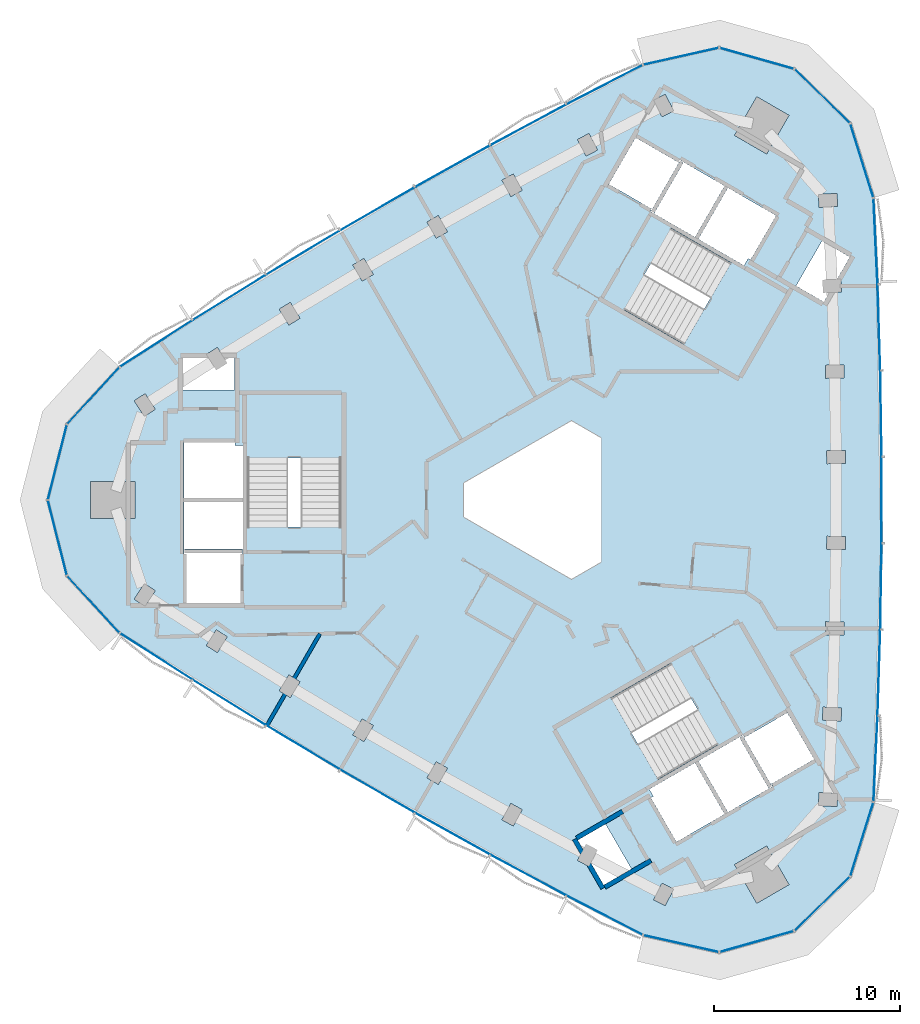
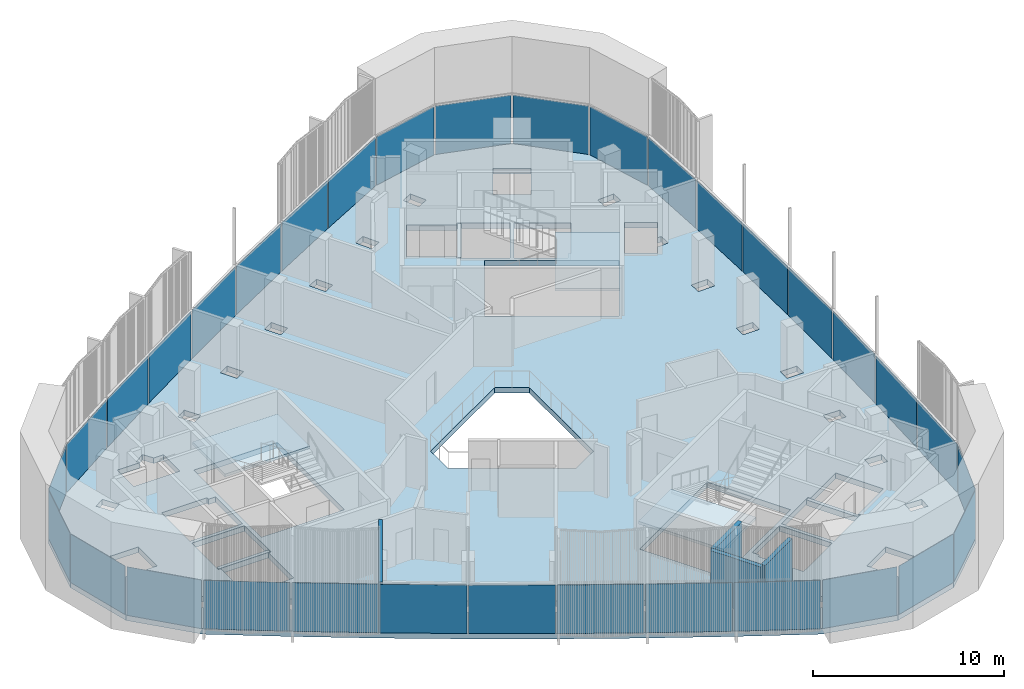
# One storey, part 5 of 12: 33 plates, 4 slabs, 4 walls, 6 elements without a shape of their own.
"""IFC4 building model written with IfcOpenShell, lengths in metres."""

from ifc_helpers import new_model, si_unit, direction, frame, frame_2d, origin, origin_2d, place, context, subcontext, project, spatial, polyline, rectangle, outline, extrude, material, layer, layer_set, type_object, element, aggregate, save


model = new_model("IFC4")

# Units and contexts
model_context = context("Model", 3, precision=1e-05, world=origin(), true_north=direction((0.0, 1.0)))
body_context = subcontext(model_context, "Body", "Model", "MODEL_VIEW")
ifc_project = project(units=[si_unit("LENGTHUNIT", "METRE"), si_unit("AREAUNIT", "SQUARE_METRE"), si_unit("VOLUMEUNIT", "CUBIC_METRE"), si_unit("PLANEANGLEUNIT", "RADIAN"), si_unit("MASSUNIT", "GRAM", prefix="KILO")], contexts=[model_context])

# Site, building, storey
site_placement = place(None, origin())
site = spatial("IfcSite", under=ifc_project, at=site_placement, CompositionType="ELEMENT")
building_placement = place(site_placement, origin())
building = spatial("IfcBuilding", under=site, at=building_placement, Name="Tamra Quay Hotel Tower", CompositionType="ELEMENT")
storey_placement = place(building_placement, frame((0.0, 0.0, 273.0)))
storey = spatial("IfcBuildingStorey", under=building, at=storey_placement, Name="L69", CompositionType="ELEMENT", Elevation=273.0)

# Stair, slab
ifc_material_1 = material(Name="Exit stair 2200 24 risers 150.0 going 342")
stair_type = type_object("IfcStairType", Name="Exit stair 2200 24 risers 150.0 going 342", PredefinedType="HALF_TURN_STAIR", material=ifc_material_1)
stair_1_placement = place(storey_placement, origin())
stair_1 = element("IfcStair", 1, at=stair_1_placement, inside=storey, type_object=stair_type, Name="L69 Exit stair ST3", PredefinedType="HALF_TURN_STAIR")
ifc_material_2 = material(Name="Concrete M70", Category="concrete")
ifc_layer_1 = layer(ifc_material_2, 0.175048828125)
ifc_layer_set_1 = layer_set([ifc_layer_1], Name="Concrete M70 stair landing 180")
slab_type_1 = type_object("IfcSlabType", Name="Concrete M70 stair landing 180", PredefinedType="LANDING", material=ifc_layer_set_1)
slab_1_placement = place(storey_placement, frame((0.0, 0.0, 1.625)))
slab_1 = element("IfcSlab", 2, at=slab_1_placement, type_object=slab_type_1, Name="ST3 landing 1", PredefinedType="LANDING", context=body_context, shape_type="SweptSolid", body=[
    extrude(outline(polyline([(-10.932373046875, 2.261962890625), (-10.932373046875, 5.679931640625), (-16.09130859375, 5.679931640625), (-16.09130859375, 2.261962890625), (-10.932373046875, 2.261962890625)])), origin(), (0.0, 0.0, 1.0), 0.175048828125),
])
aggregate(stair_1, [slab_1])

stair_2_placement = place(storey_placement, origin())
stair_2 = element("IfcStair", 3, at=stair_2_placement, inside=storey, type_object=stair_type, Name="L69 Exit stair ST1", PredefinedType="HALF_TURN_STAIR")
slab_2_placement = place(storey_placement, frame((0.0, 0.0, 1.625)))
slab_2 = element("IfcSlab", 4, at=slab_2_placement, type_object=slab_type_1, Name="ST1 landing 1", PredefinedType="LANDING", context=body_context, shape_type="SweptSolid", body=[
    extrude(outline(polyline([(7.425048828125, 8.336669921875), (10.385009765625, 6.627685546875), (12.964599609375, 11.095458984375), (10.00439453125, 12.804443359375), (7.425048828125, 8.336669921875)])), origin(), (0.0, 0.0, 1.0), 0.175048828125),
])
aggregate(stair_2, [slab_2])

stair_3_placement = place(storey_placement, origin())
stair_3 = element("IfcStair", 5, at=stair_3_placement, inside=storey, type_object=stair_type, Name="L69 Exit stair ST2", PredefinedType="HALF_TURN_STAIR")
slab_3_placement = place(storey_placement, frame((0.0, 0.0, 1.625)))
slab_3 = element("IfcSlab", 6, at=slab_3_placement, type_object=slab_type_1, Name="ST2 landing 1", PredefinedType="LANDING", context=body_context, shape_type="SweptSolid", body=[
    extrude(outline(polyline([(3.50732421875, -10.5986328125), (0.547119140625, -12.3076171875), (3.126708984375, -16.775390625), (6.086669921875, -15.06640625), (3.50732421875, -10.5986328125)])), origin(), (0.0, 0.0, 1.0), 0.175048828125),
])
aggregate(stair_3, [slab_3])

# Slab
ifc_material_3 = material(Name="Concrete M60", Category="concrete")
ifc_layer_2 = layer(ifc_material_3, 0.35009765625)
ifc_layer_set_2 = layer_set([ifc_layer_2], Name="FLOOR SLAB PT 350")
slab_type_2 = type_object("IfcSlabType", Name="FLOOR SLAB PT 350", PredefinedType="FLOOR", material=ifc_layer_set_2)
slab_4_placement = place(storey_placement, frame((0.0, 0.0, -0.35009765625)))
element("IfcSlab", 7, at=slab_4_placement, inside=storey, type_object=slab_type_2, Name="SLAB-L69", PredefinedType="FLOOR", context=body_context, shape_type="SweptSolid", body=[
    extrude(outline(polyline([(17.8662109375, 11.60986328125), (18.011474609375, 6.968017578125), (18.083984375, 2.322998046875), (18.083984375, -2.322998046875), (18.011474609375, -6.968017578125), (17.8662109375, -11.60986328125), (17.648681640625, -16.25146484375), (16.39599609375, -20.2587890625), (13.38671875, -23.186279296875), (9.346435546875, -24.32861328125), (5.249755859375, -23.409912109375), (1.121337890625, -21.277587890625), (-2.97119140625, -19.08251953125), (-7.0302734375, -16.82275390625), (-11.0537109375, -14.499755859375), (-15.040283203125, -12.1142578125), (-18.98779296875, -9.667724609375), (-22.898681640625, -7.15869140625), (-25.742431640625, -4.070068359375), (-26.7734375, 0.0), (-25.742431640625, 4.070068359375), (-22.898681640625, 7.15869140625), (-18.98779296875, 9.667724609375), (-15.040283203125, 12.1142578125), (-11.0537109375, 14.499755859375), (-7.0302734375, 16.82275390625), (-2.97119140625, 19.08251953125), (1.121337890625, 21.277587890625), (5.249755859375, 23.409912109375), (9.346435546875, 24.32861328125), (13.38671875, 23.186279296875), (16.39599609375, 20.2587890625), (17.648681640625, 16.25146484375), (17.8662109375, 11.60986328125)]), holes=[polyline([(-10.3671875, -12.641357421875), (-9.763671875, -12.99609375), (-9.2568359375, -12.13427734375), (-9.8603515625, -11.779296875), (-10.3671875, -12.641357421875)]), polyline([(-14.324462890625, -10.26708984375), (-13.7265625, -10.63134765625), (-13.206298828125, -9.77734375), (-13.803955078125, -9.4130859375), (-14.324462890625, -10.26708984375)]), polyline([(-18.244140625, -7.831298828125), (-17.652099609375, -8.20458984375), (-17.118896484375, -7.358642578125), (-17.7109375, -6.9853515625), (-18.244140625, -7.831298828125)]), polyline([(-21.57861328125, -4.497314453125), (-22.125244140625, -5.33447265625), (-21.539306640625, -5.71728515625), (-20.992431640625, -4.880126953125), (-21.57861328125, -4.497314453125)]), polyline([(-16.3173828125, -2.85498046875), (-19.4072265625, -2.85498046875), (-19.4072265625, -2.89306640625), (-19.307373046875, -2.89306640625), (-19.307373046875, -5.544921875), (-16.417236328125, -5.544921875), (-16.417236328125, -2.89306640625), (-16.3173828125, -2.89306640625), (-16.3173828125, -2.85498046875)]), polyline([(-19.417236328125, -2.64501953125), (-16.307373046875, -2.64501953125), (-16.307373046875, -2.89306640625), (-16.26708984375, -2.89306640625), (-16.26708984375, -0.10498046875), (-19.45751953125, -0.10498046875), (-19.45751953125, -2.89306640625), (-19.417236328125, -2.89306640625), (-19.417236328125, -2.64501953125)]), polyline([(-24.473388671875, 1.0), (-24.473388671875, -1.0), (-22.073486328125, -1.0), (-22.073486328125, 1.0), (-24.473388671875, 1.0)]), polyline([(-16.707275390625, 2.945068359375), (-16.707275390625, 3.09521484375), (-19.45751953125, 3.09521484375), (-19.45751953125, 0.10498046875), (-16.26708984375, 0.10498046875), (-16.26708984375, 2.945068359375), (-16.707275390625, 2.945068359375)]), polyline([(-16.036376953125, -1.455078125), (-10.9873046875, -1.455078125), (-10.9873046875, 5.625), (-16.036376953125, 5.625), (-16.036376953125, -1.455078125)]), polyline([(-20.992431640625, 4.880126953125), (-21.539306640625, 5.71728515625), (-22.125244140625, 5.33447265625), (-21.57861328125, 4.497314453125), (-20.992431640625, 4.880126953125)]), polyline([(-17.29931640625, 7.64501953125), (-17.652099609375, 8.20458984375), (-18.244140625, 7.831298828125), (-18.126708984375, 7.64501953125), (-19.50732421875, 7.64501953125), (-19.50732421875, 5.9150390625), (-16.71728515625, 5.9150390625), (-16.71728515625, 7.64501953125), (-17.29931640625, 7.64501953125)]), polyline([(-13.7265625, 10.63134765625), (-14.324462890625, 10.26708984375), (-13.803955078125, 9.4130859375), (-13.206298828125, 9.77734375), (-13.7265625, 10.63134765625)]), polyline([(-9.2568359375, 12.13427734375), (-9.763671875, 12.99609375), (-10.3671875, 12.641357421875), (-9.8603515625, 11.779296875), (-9.2568359375, 12.13427734375)]), polyline([(-5.271240234375, 14.428955078125), (-5.764404296875, 15.298828125), (-6.373291015625, 14.95361328125), (-5.880126953125, 14.083740234375), (-5.271240234375, 14.428955078125)]), polyline([(5.818359375, -21.51220703125), (6.44287109375, -21.828369140625), (6.89453125, -20.936279296875), (6.27001953125, -20.6201171875), (5.818359375, -21.51220703125)]), polyline([(3.236083984375, -17.43505859375), (1.73779296875, -18.300048828125), (2.02880859375, -18.80419921875), (1.720703125, -19.389404296875), (2.33984375, -19.715576171875), (2.442626953125, -19.520751953125), (3.1328125, -20.71630859375), (4.631103515625, -19.851318359375), (3.236083984375, -17.43505859375)]), polyline([(-2.34375, -17.203369140625), (-1.7294921875, -17.538818359375), (-1.25, -16.6611328125), (-1.864501953125, -16.32568359375), (-2.34375, -17.203369140625)]), polyline([(5.5830078125, -15.560302734375), (5.80322265625, -15.94140625), (5.673095703125, -16.0166015625), (7.04833984375, -18.398193359375), (9.6376953125, -16.903076171875), (8.042724609375, -14.14013671875), (5.5830078125, -15.560302734375)]), polyline([(12.214111328125, -15.369384765625), (11.999267578125, -15.493408203125), (10.4443359375, -12.800048828125), (10.6591796875, -12.676025390625), (10.63916015625, -12.64111328125), (8.224609375, -14.03515625), (9.819580078125, -16.798095703125), (12.234130859375, -15.404052734375), (12.214111328125, -15.369384765625)]), polyline([(-6.373291015625, -14.95361328125), (-5.764404296875, -15.298828125), (-5.271240234375, -14.428955078125), (-5.880126953125, -14.083740234375), (-6.373291015625, -14.95361328125)]), polyline([(6.75390625, -8.78759765625), (0.622314453125, -12.32763671875), (3.146728515625, -16.7001953125), (9.2783203125, -13.160400390625), (6.75390625, -8.78759765625)]), polyline([(-4.39990234375, 0.923828125), (-4.39990234375, -0.923828125), (1.39990234375, -4.2724609375), (3.0, -3.3486328125), (3.0, 3.3486328125), (1.39990234375, 4.2724609375), (-4.39990234375, 0.923828125)]), polyline([(6.758056640625, 14.615478515625), (4.2333984375, 10.242919921875), (10.364990234375, 6.702880859375), (12.889404296875, 11.075439453125), (6.758056640625, 14.615478515625)]), polyline([(7.203125, 18.262451171875), (7.41796875, 18.138427734375), (5.863037109375, 15.445068359375), (5.648193359375, 15.569091796875), (5.628173828125, 15.5341796875), (8.04248046875, 14.140380859375), (9.6376953125, 16.903076171875), (7.22314453125, 18.297119140625), (7.203125, 18.262451171875)]), polyline([(-1.7294921875, 17.538818359375), (-2.34375, 17.203369140625), (-1.864501953125, 16.32568359375), (-1.25, 16.6611328125), (-1.7294921875, 17.538818359375)]), polyline([(5.68603515625, 15.55859375), (7.231201171875, 18.234619140625), (7.1982421875, 18.253662109375), (7.148193359375, 18.1669921875), (4.8515625, 19.4931640625), (3.406494140625, 16.990234375), (5.703125, 15.664306640625), (5.6533203125, 15.57763671875), (5.68603515625, 15.55859375)]), polyline([(2.805908203125, 18.830810546875), (2.33984375, 19.715576171875), (1.720703125, 19.389404296875), (2.186767578125, 18.504638671875), (2.805908203125, 18.830810546875)]), polyline([(6.44287109375, 21.828369140625), (5.818359375, 21.51220703125), (6.27001953125, 20.6201171875), (6.89453125, 20.936279296875), (6.44287109375, 21.828369140625)]), polyline([(10.170654296875, -19.6162109375), (11.37060546875, -21.694580078125), (13.102783203125, -20.694580078125), (11.902587890625, -18.6162109375), (10.170654296875, -19.6162109375)]), polyline([(14.68408203125, -16.43896484375), (15.6826171875, -16.493896484375), (15.720947265625, -15.794921875), (14.722412109375, -15.739990234375), (14.68408203125, -16.43896484375)]), polyline([(12.176025390625, -15.379638671875), (12.208984375, -15.360595703125), (12.1591796875, -15.274169921875), (14.455810546875, -13.947998046875), (13.0107421875, -11.4453125), (10.714111328125, -12.771240234375), (10.6640625, -12.6845703125), (10.631103515625, -12.70361328125), (12.176025390625, -15.379638671875)]), polyline([(15.904296875, -11.88427734375), (15.931396484375, -11.184814453125), (14.93212890625, -11.14599609375), (14.905029296875, -11.845703125), (15.904296875, -11.88427734375)]), polyline([(16.0537109375, -7.271728515625), (16.0703125, -6.572021484375), (15.070556640625, -6.548095703125), (15.053955078125, -7.247802734375), (16.0537109375, -7.271728515625)]), polyline([(15.13134765625, -2.6494140625), (16.13134765625, -2.657470703125), (16.136962890625, -1.95751953125), (15.136962890625, -1.94970703125), (15.13134765625, -2.6494140625)]), polyline([(15.136962890625, 1.94970703125), (16.136962890625, 1.95751953125), (16.13134765625, 2.657470703125), (15.13134765625, 2.6494140625), (15.136962890625, 1.94970703125)]), polyline([(16.0703125, 6.572021484375), (16.0537109375, 7.271728515625), (15.053955078125, 7.247802734375), (15.070556640625, 6.548095703125), (16.0703125, 6.572021484375)]), polyline([(13.481201171875, 11.52001953125), (14.9794921875, 10.655029296875), (15.2705078125, 11.1591796875), (15.931396484375, 11.184814453125), (15.904296875, 11.88427734375), (15.68408203125, 11.875732421875), (16.37451171875, 13.0712890625), (14.876220703125, 13.936279296875), (13.481201171875, 11.52001953125)]), polyline([(10.904052734375, 12.996337890625), (11.0341796875, 12.92138671875), (12.4091796875, 15.302978515625), (9.819580078125, 16.798095703125), (8.224365234375, 14.035400390625), (10.68408203125, 12.615234375), (10.904052734375, 12.996337890625)]), polyline([(14.722412109375, 15.739990234375), (15.720947265625, 15.794921875), (15.6826171875, 16.493896484375), (14.68408203125, 16.43896484375), (14.722412109375, 15.739990234375)]), polyline([(11.902587890625, 18.6162109375), (13.102783203125, 20.694580078125), (11.37060546875, 21.694580078125), (10.170654296875, 19.6162109375), (11.902587890625, 18.6162109375)])]), origin(), (0.0, 0.0, 1.0), 0.35009765625),
])

# Curtain wall, plates
ifc_material_4 = material(Name="Aluminium 6063 anodised dark grey", Category="aluminium")
curtain_wall_type_1 = type_object("IfcCurtainWallType", Name="CW1 CURTAIN WALL", PredefinedType="NOTDEFINED", material=ifc_material_4)
curtain_wall_1_placement = place(storey_placement, origin())
curtain_wall_1 = element("IfcCurtainWall", 8, at=curtain_wall_1_placement, inside=storey, type_object=curtain_wall_type_1, Name="CW1 east face L69", PredefinedType="NOTDEFINED")
ifc_material_5 = material(Name="Glass clear laminated low-iron", Category="glass")
ifc_layer_3 = layer(ifc_material_5, 0.02587890625)
ifc_layer_set_3 = layer_set([ifc_layer_3], Name="GLASS PANEL CW1 Z6")
plate_type_1 = type_object("IfcPlateType", Name="GLASS PANEL CW1 Z6", PredefinedType="CURTAIN_PANEL", material=ifc_layer_set_3)
plate_1_placement = place(storey_placement, frame((17.757568359375, -13.9306640625, 0.0), z_axis=(0.0, 0.0, 1.0), x_axis=(0.046821223335, 0.998903285131, 0.0)))
plate_1 = element("IfcPlate", 9, at=plate_1_placement, type_object=plate_type_1, Name="CW1 glass L69.E.1", PredefinedType="CURTAIN_PANEL", context=body_context, shape_type="SweptSolid", body=[
    extrude(rectangle(XDim=4.546630859375, YDim=0.02587890625, at=origin_2d()), origin(), (0.0, 0.0, 1.0), 3.110107421875),
])
plate_2_placement = place(storey_placement, frame((17.93896484375, -9.2890625, 0.0), z_axis=(0.0, 0.0, 1.0), x_axis=(0.03124175898, 0.999511857106, 0.0)))
plate_2 = element("IfcPlate", 10, at=plate_2_placement, type_object=plate_type_1, Name="CW1 glass L69.E.2", PredefinedType="CURTAIN_PANEL", context=body_context, shape_type="SweptSolid", body=[
    extrude(rectangle(XDim=4.544189453125, YDim=0.02587890625, at=origin_2d()), origin(), (0.0, 0.0, 1.0), 3.110107421875),
])
plate_3_placement = place(storey_placement, frame((18.0478515625, -4.6455078125, 0.0), z_axis=(0.0, 0.0, 1.0), x_axis=(0.015632917878, 0.999877798473, 0.0)))
plate_3 = element("IfcPlate", 11, at=plate_3_placement, type_object=plate_type_1, Name="CW1 glass L69.E.3", PredefinedType="CURTAIN_PANEL", context=body_context, shape_type="SweptSolid", body=[
    extrude(rectangle(XDim=4.5458984375, YDim=0.02587890625, at=origin_2d()), origin(), (0.0, 0.0, 1.0), 3.110107421875),
])
plate_4_placement = place(storey_placement, frame((18.083984375, 0.0, 0.0), z_axis=(0.0, 0.0, 1.0), x_axis=(0.0, 1.0, 0.0)))
plate_4 = element("IfcPlate", 12, at=plate_4_placement, type_object=plate_type_1, Name="CW1 glass L69.E.4", PredefinedType="CURTAIN_PANEL", context=body_context, shape_type="SweptSolid", body=[
    extrude(rectangle(XDim=4.5458984375, YDim=0.02587890625, at=origin_2d()), origin(), (0.0, 0.0, 1.0), 3.110107421875),
])
plate_5_placement = place(storey_placement, frame((18.0478515625, 4.6455078125, 0.0), z_axis=(0.0, 0.0, 1.0), x_axis=(-0.015632917878, 0.999877798473, 0.0)))
plate_5 = element("IfcPlate", 13, at=plate_5_placement, type_object=plate_type_1, Name="CW1 glass L69.E.5", PredefinedType="CURTAIN_PANEL", context=body_context, shape_type="SweptSolid", body=[
    extrude(rectangle(XDim=4.5458984375, YDim=0.02587890625, at=origin_2d()), origin(), (0.0, 0.0, 1.0), 3.110107421875),
])
plate_6_placement = place(storey_placement, frame((17.93896484375, 9.2890625, 0.0), z_axis=(0.0, 0.0, 1.0), x_axis=(-0.03124175898, 0.999511857106, 0.0)))
plate_6 = element("IfcPlate", 14, at=plate_6_placement, type_object=plate_type_1, Name="CW1 glass L69.E.6", PredefinedType="CURTAIN_PANEL", context=body_context, shape_type="SweptSolid", body=[
    extrude(rectangle(XDim=4.544189453125, YDim=0.02587890625, at=origin_2d()), origin(), (0.0, 0.0, 1.0), 3.110107421875),
])
plate_7_placement = place(storey_placement, frame((17.757568359375, 13.9306640625, 0.0), z_axis=(0.0, 0.0, 1.0), x_axis=(-0.046821223335, 0.998903285131, 0.0)))
plate_7 = element("IfcPlate", 15, at=plate_7_placement, type_object=plate_type_1, Name="CW1 glass L69.E.7", PredefinedType="CURTAIN_PANEL", context=body_context, shape_type="SweptSolid", body=[
    extrude(rectangle(XDim=4.546630859375, YDim=0.02587890625, at=origin_2d()), origin(), (0.0, 0.0, 1.0), 3.110107421875),
])
plate_8_placement = place(storey_placement, frame((17.0224609375, 18.255126953125, 0.0), z_axis=(0.0, 0.0, 1.0), x_axis=(-0.29839239288, 0.954443282689, 0.0)))
plate_8 = element("IfcPlate", 16, at=plate_8_placement, type_object=plate_type_1, Name="CW1 glass L69.E.8", PredefinedType="CURTAIN_PANEL", context=body_context, shape_type="SweptSolid", body=[
    extrude(rectangle(XDim=4.098388671875, YDim=0.02587890625, at=origin_2d()), origin(), (0.0, 0.0, 1.0), 3.110107421875),
])
plate_9_placement = place(storey_placement, frame((14.891357421875, 21.72265625, 0.0), z_axis=(0.0, 0.0, 1.0), x_axis=(-0.716752699854, 0.69732744622, 0.0)))
plate_9 = element("IfcPlate", 17, at=plate_9_placement, type_object=plate_type_1, Name="CW1 glass L69.E.9", PredefinedType="CURTAIN_PANEL", context=body_context, shape_type="SweptSolid", body=[
    extrude(rectangle(XDim=4.098388671875, YDim=0.02587890625, at=origin_2d()), origin(), (0.0, 0.0, 1.0), 3.110107421875),
])
plate_10_placement = place(storey_placement, frame((11.36669921875, 23.757568359375, 0.0), z_axis=(0.0, 0.0, 1.0), x_axis=(-0.96227963311, 0.272062323195, 0.0)))
plate_10 = element("IfcPlate", 18, at=plate_10_placement, type_object=plate_type_1, Name="CW1 glass L69.E.10", PredefinedType="CURTAIN_PANEL", context=body_context, shape_type="SweptSolid", body=[
    extrude(rectangle(XDim=4.098388671875, YDim=0.02587890625, at=origin_2d()), origin(), (0.0, 0.0, 1.0), 3.110107421875),
])
plate_11_placement = place(storey_placement, frame((7.298095703125, 23.869384765625, 0.0), z_axis=(0.0, 0.0, 1.0), x_axis=(-0.975768325721, -0.218806248814, 0.0)))
plate_11 = element("IfcPlate", 19, at=plate_11_placement, type_object=plate_type_1, Name="CW1 glass L69.E.11", PredefinedType="CURTAIN_PANEL", context=body_context, shape_type="SweptSolid", body=[
    extrude(rectangle(XDim=4.098388671875, YDim=0.02587890625, at=origin_2d()), origin(), (0.0, 0.0, 1.0), 3.110107421875),
])
aggregate(curtain_wall_1, [plate_1, plate_2, plate_3, plate_4, plate_5, plate_6, plate_7, plate_8, plate_9, plate_10, plate_11])

curtain_wall_type_2 = type_object("IfcCurtainWallType", Name="CW2 CURTAIN WALL", PredefinedType="NOTDEFINED", material=ifc_material_4)
curtain_wall_2_placement = place(storey_placement, origin())
curtain_wall_2 = element("IfcCurtainWall", 20, at=curtain_wall_2_placement, inside=storey, type_object=curtain_wall_type_2, Name="CW2 north-west face L69", PredefinedType="NOTDEFINED")
ifc_layer_4 = layer(ifc_material_5, 0.02587890625)
ifc_layer_set_4 = layer_set([ifc_layer_4], Name="GLASS PANEL CW2 Z6")
plate_type_2 = type_object("IfcPlateType", Name="GLASS PANEL CW2 Z6", PredefinedType="CURTAIN_PANEL", material=ifc_layer_set_4)
plate_12_placement = place(storey_placement, frame((3.185546875, 22.34375, 0.0), z_axis=(0.0, 0.0, 1.0), x_axis=(-0.888486232515, -0.458903273721, 0.0)))
plate_12 = element("IfcPlate", 21, at=plate_12_placement, type_object=plate_type_2, Name="CW2 glass L69.NW.1", PredefinedType="CURTAIN_PANEL", context=body_context, shape_type="SweptSolid", body=[
    extrude(rectangle(XDim=4.546630859375, YDim=0.02587890625, at=origin_2d()), origin(), (0.0, 0.0, 1.0), 3.110107421875),
])
plate_13_placement = place(storey_placement, frame((-0.9248046875, 20.18017578125, 0.0), z_axis=(0.0, 0.0, 1.0), x_axis=(-0.881223539128, -0.472699771618, 0.0)))
plate_13 = element("IfcPlate", 22, at=plate_13_placement, type_object=plate_type_2, Name="CW2 glass L69.NW.2", PredefinedType="CURTAIN_PANEL", context=body_context, shape_type="SweptSolid", body=[
    extrude(rectangle(XDim=4.544189453125, YDim=0.02587890625, at=origin_2d()), origin(), (0.0, 0.0, 1.0), 3.110107421875),
])
plate_14_placement = place(storey_placement, frame((-5.000732421875, 17.95263671875, 0.0), z_axis=(0.0, 0.0, 1.0), x_axis=(-0.873736033097, -0.486400395218, 0.0)))
plate_14 = element("IfcPlate", 23, at=plate_14_placement, type_object=plate_type_2, Name="CW2 glass L69.NW.3", PredefinedType="CURTAIN_PANEL", context=body_context, shape_type="SweptSolid", body=[
    extrude(rectangle(XDim=4.5458984375, YDim=0.02587890625, at=origin_2d()), origin(), (0.0, 0.0, 1.0), 3.110107421875),
])
plate_15_placement = place(storey_placement, frame((-9.0419921875, 15.661376953125, 0.0), z_axis=(0.0, 0.0, 1.0), x_axis=(-0.866025403784, -0.5, 0.0)))
plate_15 = element("IfcPlate", 24, at=plate_15_placement, type_object=plate_type_2, Name="CW2 glass L69.NW.4", PredefinedType="CURTAIN_PANEL", context=body_context, shape_type="SweptSolid", body=[
    extrude(rectangle(XDim=4.5458984375, YDim=0.02587890625, at=origin_2d()), origin(), (0.0, 0.0, 1.0), 3.110107421875),
])
plate_16_placement = place(storey_placement, frame((-13.047119140625, 13.30712890625, 0.0), z_axis=(0.0, 0.0, 1.0), x_axis=(-0.858103115218, -0.513477403254, 0.0)))
plate_16 = element("IfcPlate", 25, at=plate_16_placement, type_object=plate_type_2, Name="CW2 glass L69.NW.5", PredefinedType="CURTAIN_PANEL", context=body_context, shape_type="SweptSolid", body=[
    extrude(rectangle(XDim=4.5458984375, YDim=0.02587890625, at=origin_2d()), origin(), (0.0, 0.0, 1.0), 3.110107421875),
])
plate_17_placement = place(storey_placement, frame((-17.013916015625, 10.89111328125, 0.0), z_axis=(0.0, 0.0, 1.0), x_axis=(-0.849981780148, -0.526812085489, 0.0)))
plate_17 = element("IfcPlate", 26, at=plate_17_placement, type_object=plate_type_2, Name="CW2 glass L69.NW.6", PredefinedType="CURTAIN_PANEL", context=body_context, shape_type="SweptSolid", body=[
    extrude(rectangle(XDim=4.544189453125, YDim=0.02587890625, at=origin_2d()), origin(), (0.0, 0.0, 1.0), 3.110107421875),
])
plate_18_placement = place(storey_placement, frame((-20.943115234375, 8.4130859375, 0.0), z_axis=(0.0, 0.0, 1.0), x_axis=(-0.841665009179, -0.54000001141, 0.0)))
plate_18 = element("IfcPlate", 27, at=plate_18_placement, type_object=plate_type_2, Name="CW2 glass L69.NW.7", PredefinedType="CURTAIN_PANEL", context=body_context, shape_type="SweptSolid", body=[
    extrude(rectangle(XDim=4.546630859375, YDim=0.02587890625, at=origin_2d()), origin(), (0.0, 0.0, 1.0), 3.110107421875),
])
plate_19_placement = place(storey_placement, frame((-24.320556640625, 5.6142578125, 0.0), z_axis=(0.0, 0.0, 1.0), x_axis=(-0.67737593284, -0.735637033875, 0.0)))
plate_19 = element("IfcPlate", 28, at=plate_19_placement, type_object=plate_type_2, Name="CW2 glass L69.NW.8", PredefinedType="CURTAIN_PANEL", context=body_context, shape_type="SweptSolid", body=[
    extrude(rectangle(XDim=4.098388671875, YDim=0.02587890625, at=origin_2d()), origin(), (0.0, 0.0, 1.0), 3.110107421875),
])
plate_20_placement = place(storey_placement, frame((-26.258056640625, 2.034912109375, 0.0), z_axis=(0.0, 0.0, 1.0), x_axis=(-0.245526933255, -0.969389769415, 0.0)))
plate_20 = element("IfcPlate", 29, at=plate_20_placement, type_object=plate_type_2, Name="CW2 glass L69.NW.9", PredefinedType="CURTAIN_PANEL", context=body_context, shape_type="SweptSolid", body=[
    extrude(rectangle(XDim=4.098388671875, YDim=0.02587890625, at=origin_2d()), origin(), (0.0, 0.0, 1.0), 3.110107421875),
])
plate_21_placement = place(storey_placement, frame((-26.258056640625, -2.034912109375, 0.0), z_axis=(0.0, 0.0, 1.0), x_axis=(0.245526933255, -0.969389769415, 0.0)))
plate_21 = element("IfcPlate", 30, at=plate_21_placement, type_object=plate_type_2, Name="CW2 glass L69.NW.10", PredefinedType="CURTAIN_PANEL", context=body_context, shape_type="SweptSolid", body=[
    extrude(rectangle(XDim=4.098388671875, YDim=0.02587890625, at=origin_2d()), origin(), (0.0, 0.0, 1.0), 3.110107421875),
])
plate_22_placement = place(storey_placement, frame((-24.320556640625, -5.6142578125, 0.0), z_axis=(0.0, 0.0, 1.0), x_axis=(0.67737593284, -0.735637033875, 0.0)))
plate_22 = element("IfcPlate", 31, at=plate_22_placement, type_object=plate_type_2, Name="CW2 glass L69.NW.11", PredefinedType="CURTAIN_PANEL", context=body_context, shape_type="SweptSolid", body=[
    extrude(rectangle(XDim=4.098388671875, YDim=0.02587890625, at=origin_2d()), origin(), (0.0, 0.0, 1.0), 3.110107421875),
])
aggregate(curtain_wall_2, [plate_12, plate_13, plate_14, plate_15, plate_16, plate_17, plate_18, plate_19, plate_20, plate_21, plate_22])

curtain_wall_type_3 = type_object("IfcCurtainWallType", Name="CW3 CURTAIN WALL", PredefinedType="NOTDEFINED", material=ifc_material_4)
curtain_wall_3_placement = place(storey_placement, origin())
curtain_wall_3 = element("IfcCurtainWall", 32, at=curtain_wall_3_placement, inside=storey, type_object=curtain_wall_type_3, Name="CW3 south-west face L69", PredefinedType="NOTDEFINED")
ifc_layer_5 = layer(ifc_material_5, 0.02587890625)
ifc_layer_set_5 = layer_set([ifc_layer_5], Name="GLASS PANEL CW3 Z6")
plate_type_3 = type_object("IfcPlateType", Name="GLASS PANEL CW3 Z6", PredefinedType="CURTAIN_PANEL", material=ifc_layer_set_5)
plate_23_placement = place(storey_placement, frame((-20.943115234375, -8.4130859375, 0.0), z_axis=(0.0, 0.0, 1.0), x_axis=(0.841665009179, -0.54000001141, 0.0)))
plate_23 = element("IfcPlate", 33, at=plate_23_placement, type_object=plate_type_3, Name="CW3 glass L69.SW.1", PredefinedType="CURTAIN_PANEL", context=body_context, shape_type="SweptSolid", body=[
    extrude(rectangle(XDim=4.546630859375, YDim=0.02587890625, at=origin_2d()), origin(), (0.0, 0.0, 1.0), 3.110107421875),
])
plate_24_placement = place(storey_placement, frame((-17.013916015625, -10.89111328125, 0.0), z_axis=(0.0, 0.0, 1.0), x_axis=(0.849981780148, -0.526812085489, 0.0)))
plate_24 = element("IfcPlate", 34, at=plate_24_placement, type_object=plate_type_3, Name="CW3 glass L69.SW.2", PredefinedType="CURTAIN_PANEL", context=body_context, shape_type="SweptSolid", body=[
    extrude(rectangle(XDim=4.544189453125, YDim=0.02587890625, at=origin_2d()), origin(), (0.0, 0.0, 1.0), 3.110107421875),
])
plate_25_placement = place(storey_placement, frame((-13.047119140625, -13.30712890625, 0.0), z_axis=(0.0, 0.0, 1.0), x_axis=(0.858103115218, -0.513477403254, 0.0)))
plate_25 = element("IfcPlate", 35, at=plate_25_placement, type_object=plate_type_3, Name="CW3 glass L69.SW.3", PredefinedType="CURTAIN_PANEL", context=body_context, shape_type="SweptSolid", body=[
    extrude(rectangle(XDim=4.5458984375, YDim=0.02587890625, at=origin_2d()), origin(), (0.0, 0.0, 1.0), 3.110107421875),
])
plate_26_placement = place(storey_placement, frame((-9.0419921875, -15.661376953125, 0.0), z_axis=(0.0, 0.0, 1.0), x_axis=(0.866025403784, -0.5, 0.0)))
plate_26 = element("IfcPlate", 36, at=plate_26_placement, type_object=plate_type_3, Name="CW3 glass L69.SW.4", PredefinedType="CURTAIN_PANEL", context=body_context, shape_type="SweptSolid", body=[
    extrude(rectangle(XDim=4.5458984375, YDim=0.02587890625, at=origin_2d()), origin(), (0.0, 0.0, 1.0), 3.110107421875),
])
plate_27_placement = place(storey_placement, frame((-5.000732421875, -17.95263671875, 0.0), z_axis=(0.0, 0.0, 1.0), x_axis=(0.873736033097, -0.486400395218, 0.0)))
plate_27 = element("IfcPlate", 37, at=plate_27_placement, type_object=plate_type_3, Name="CW3 glass L69.SW.5", PredefinedType="CURTAIN_PANEL", context=body_context, shape_type="SweptSolid", body=[
    extrude(rectangle(XDim=4.5458984375, YDim=0.02587890625, at=origin_2d()), origin(), (0.0, 0.0, 1.0), 3.110107421875),
])
plate_28_placement = place(storey_placement, frame((-0.9248046875, -20.18017578125, 0.0), z_axis=(0.0, 0.0, 1.0), x_axis=(0.881223539128, -0.472699771618, 0.0)))
plate_28 = element("IfcPlate", 38, at=plate_28_placement, type_object=plate_type_3, Name="CW3 glass L69.SW.6", PredefinedType="CURTAIN_PANEL", context=body_context, shape_type="SweptSolid", body=[
    extrude(rectangle(XDim=4.544189453125, YDim=0.02587890625, at=origin_2d()), origin(), (0.0, 0.0, 1.0), 3.110107421875),
])
plate_29_placement = place(storey_placement, frame((3.185546875, -22.34375, 0.0), z_axis=(0.0, 0.0, 1.0), x_axis=(0.888486232515, -0.458903273721, 0.0)))
plate_29 = element("IfcPlate", 39, at=plate_29_placement, type_object=plate_type_3, Name="CW3 glass L69.SW.7", PredefinedType="CURTAIN_PANEL", context=body_context, shape_type="SweptSolid", body=[
    extrude(rectangle(XDim=4.546630859375, YDim=0.02587890625, at=origin_2d()), origin(), (0.0, 0.0, 1.0), 3.110107421875),
])
plate_30_placement = place(storey_placement, frame((7.298095703125, -23.869384765625, 0.0), z_axis=(0.0, 0.0, 1.0), x_axis=(0.975768325721, -0.218806248814, 0.0)))
plate_30 = element("IfcPlate", 40, at=plate_30_placement, type_object=plate_type_3, Name="CW3 glass L69.SW.8", PredefinedType="CURTAIN_PANEL", context=body_context, shape_type="SweptSolid", body=[
    extrude(rectangle(XDim=4.098388671875, YDim=0.02587890625, at=origin_2d()), origin(), (0.0, 0.0, 1.0), 3.110107421875),
])
plate_31_placement = place(storey_placement, frame((11.36669921875, -23.757568359375, 0.0), z_axis=(0.0, 0.0, 1.0), x_axis=(0.96227963311, 0.272062323195, 0.0)))
plate_31 = element("IfcPlate", 41, at=plate_31_placement, type_object=plate_type_3, Name="CW3 glass L69.SW.9", PredefinedType="CURTAIN_PANEL", context=body_context, shape_type="SweptSolid", body=[
    extrude(rectangle(XDim=4.098388671875, YDim=0.02587890625, at=origin_2d()), origin(), (0.0, 0.0, 1.0), 3.110107421875),
])
plate_32_placement = place(storey_placement, frame((14.891357421875, -21.72265625, 0.0), z_axis=(0.0, 0.0, 1.0), x_axis=(0.716752699854, 0.69732744622, 0.0)))
plate_32 = element("IfcPlate", 42, at=plate_32_placement, type_object=plate_type_3, Name="CW3 glass L69.SW.10", PredefinedType="CURTAIN_PANEL", context=body_context, shape_type="SweptSolid", body=[
    extrude(rectangle(XDim=4.098388671875, YDim=0.02587890625, at=origin_2d()), origin(), (0.0, 0.0, 1.0), 3.110107421875),
])
plate_33_placement = place(storey_placement, frame((17.0224609375, -18.255126953125, 0.0), z_axis=(0.0, 0.0, 1.0), x_axis=(0.29839239288, 0.954443282689, 0.0)))
plate_33 = element("IfcPlate", 43, at=plate_33_placement, type_object=plate_type_3, Name="CW3 glass L69.SW.11", PredefinedType="CURTAIN_PANEL", context=body_context, shape_type="SweptSolid", body=[
    extrude(rectangle(XDim=4.098388671875, YDim=0.02587890625, at=origin_2d()), origin(), (0.0, 0.0, 1.0), 3.110107421875),
])
aggregate(curtain_wall_3, [plate_23, plate_24, plate_25, plate_26, plate_27, plate_28, plate_29, plate_30, plate_31, plate_32, plate_33])

# Walls
ifc_layer_6 = layer(ifc_material_2, 0.25)
ifc_layer_set_6 = layer_set([ifc_layer_6], Name="Concrete M70 core wall 250")
wall_type_1 = type_object("IfcWallType", Name="Concrete M70 core wall 250", PredefinedType="SHEAR", material=ifc_layer_set_6)
wall_1_placement = place(storey_placement, frame((3.085205078125, -20.893798828125, 0.0), z_axis=(0.0, 0.0, 1.0), x_axis=(-0.499978833458, 0.866037623948, 0.0)))
element("IfcWall", 44, at=wall_1_placement, inside=storey, type_object=wall_type_1, Name="CW1", PredefinedType="SHEAR", context=body_context, shape_type="SweptSolid", body=[
    extrude(rectangle(XDim=3.050048828125, YDim=0.25, at=frame_2d((1.52490234375, 0.0))), origin(), (0.0, 0.0, 1.0), 3.25),
])
wall_2_placement = place(storey_placement, frame((1.6689453125, -18.189697265625, 0.0), z_axis=(0.0, 0.0, 1.0), x_axis=(0.866042235819, 0.499970844928, 0.0)))
element("IfcWall", 45, at=wall_2_placement, inside=storey, type_object=wall_type_1, Name="CW1", PredefinedType="SHEAR", context=body_context, shape_type="SweptSolid", body=[
    extrude(rectangle(XDim=2.864501953125, YDim=0.25, at=frame_2d((1.43212890625, 0.0))), origin(), (0.0, 0.0, 1.0), 3.25),
])
wall_3_placement = place(storey_placement, frame((5.6748046875, -19.39892578125, 0.0), z_axis=(0.0, 0.0, 1.0), x_axis=(-0.866026637627, -0.499997862916, 0.0)))
element("IfcWall", 46, at=wall_3_placement, inside=storey, type_object=wall_type_1, Name="CW1", PredefinedType="SHEAR", context=body_context, shape_type="SweptSolid", body=[
    extrude(rectangle(XDim=2.86474609375, YDim=0.25, at=frame_2d((1.432373046875, 0.0))), origin(), (0.0, 0.0, 1.0), 3.25),
])
ifc_material_6 = material(Name="Partition party wall")
ifc_layer_7 = layer(ifc_material_6, 0.199951171875)
ifc_layer_set_7 = layer_set([ifc_layer_7], Name="Partition party wall")
wall_type_2 = type_object("IfcWallType", Name="Partition party wall", PredefinedType="PARTITIONING", material=ifc_layer_set_7)
wall_4_placement = place(storey_placement, frame((-14.9873046875, -12.14013671875, 0.0), z_axis=(0.0, 0.0, 1.0), x_axis=(0.499912336857, 0.866076010208, 0.0)))
element("IfcWall", 47, at=wall_4_placement, inside=storey, type_object=wall_type_2, Name="W-P", PredefinedType="PARTITIONING", context=body_context, shape_type="SweptSolid", body=[
    extrude(rectangle(XDim=5.71337890625, YDim=0.199951171875, at=frame_2d((2.856689453125, 0.0))), origin(), (0.0, 0.0, 1.0), 3.25),
])

save(model, "model.ifc")
